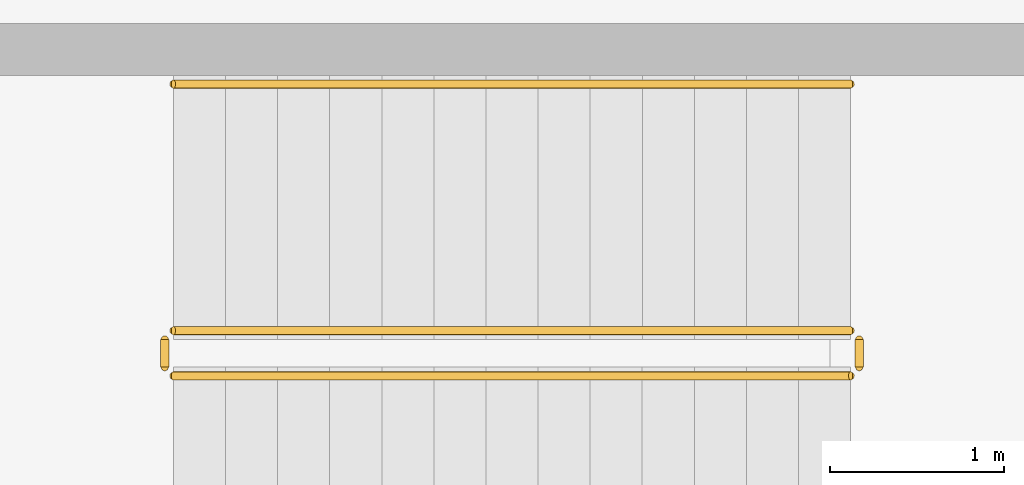
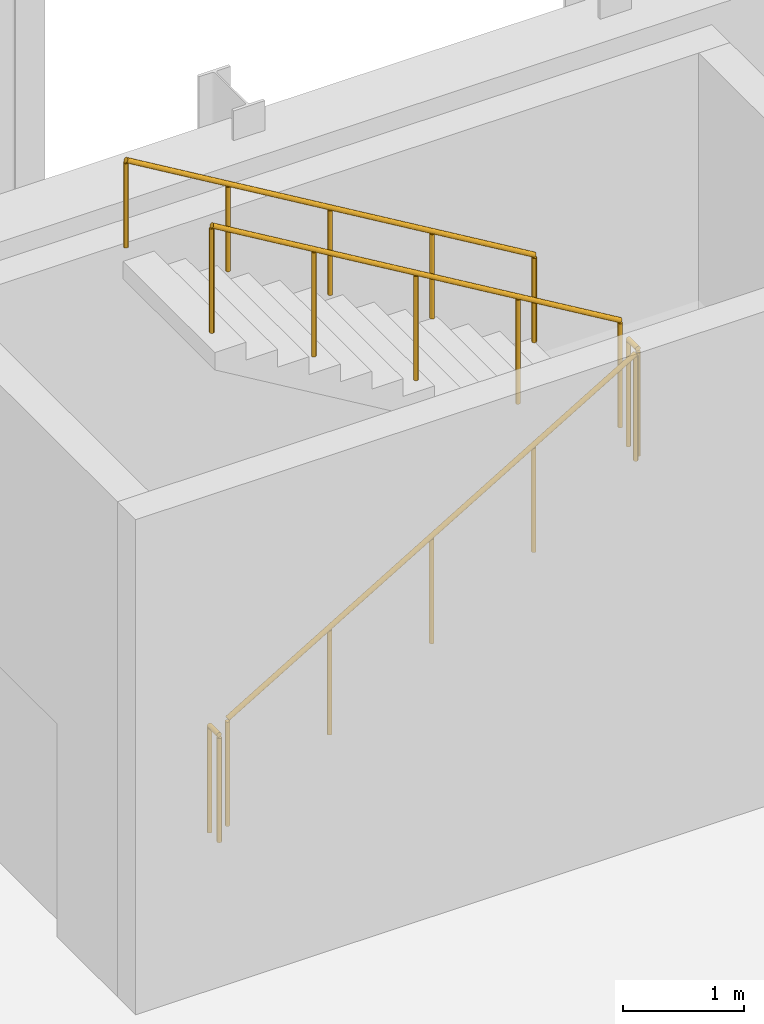
# One storey, part 40 of 47: 5 railings.
"""IFC4 building model written with IfcOpenShell, lengths in metres."""

from ifc_helpers import new_model, si_unit, direction, frame, origin, origin_2d, place, context, subcontext, project, spatial, circle, extrude, material, type_object, element, save


model = new_model("IFC4")

# Units and contexts
model_context = context("Model", 3, precision=1e-05, world=origin(), true_north=direction((0.0, 1.0)))
body_context = subcontext(model_context, "Body", "Model", "MODEL_VIEW")
ifc_project = project(units=[si_unit("LENGTHUNIT", "METRE"), si_unit("AREAUNIT", "SQUARE_METRE"), si_unit("VOLUMEUNIT", "CUBIC_METRE"), si_unit("PLANEANGLEUNIT", "RADIAN"), si_unit("MASSUNIT", "GRAM", prefix="KILO")], contexts=[model_context])

# Site, building, storey
site_placement = place(None, origin())
site = spatial("IfcSite", under=ifc_project, at=site_placement, CompositionType="ELEMENT")
building_placement = place(site_placement, origin())
building = spatial("IfcBuilding", under=site, at=building_placement, Name="Cymarion Research Institute", CompositionType="ELEMENT")
storey_placement = place(building_placement, frame((0.0, 0.0, -5.0)))
storey = spatial("IfcBuildingStorey", under=building, at=storey_placement, Name="B1", CompositionType="ELEMENT", Elevation=-5.0)

# Railings
ifc_material = material(Name="Steel S355", Category="steel")
railing_type_1 = type_object("IfcRailingType", Name="PAINTED STEEL STAIR GUARDRAIL GR1 1100MM", PredefinedType="GUARDRAIL", material=ifc_material)
railing_1_placement = place(storey_placement, frame((89.199951171875, 38.27001953125, 0.178466796875)))
element("IfcRailing", 1, at=railing_1_placement, inside=storey, type_object=railing_type_1, Name="B1 ST4 stair guard 1", PredefinedType="GUARDRAIL", context=body_context, shape_type="SweptSolid", body=[
    extrude(circle(Radius=0.02392578125, at=origin_2d()), frame((0.0, 0.0, 1.076171875), z_axis=(0.859291195736, 0.0, 0.511486696729), x_axis=(0.0, 1.0, 0.0)), (0.0, 0.0, 1.0), 4.538818359375),
    extrude(circle(Radius=0.02099609375, at=origin_2d()), origin(), (0.0, 0.0, 1.0), 1.052001953125),
    extrude(circle(Radius=0.02099609375, at=origin_2d()), frame((0.97509765625, 0.0, 0.580322265625)), (0.0, 0.0, 1.0), 1.052001953125),
    extrude(circle(Radius=0.02099609375, at=origin_2d()), frame((1.9501953125, 0.0, 1.16064453125)), (0.0, 0.0, 1.0), 1.052001953125),
    extrude(circle(Radius=0.02099609375, at=origin_2d()), frame((2.925048828125, 0.0, 1.7412109375)), (0.0, 0.0, 1.0), 1.052001953125),
    extrude(circle(Radius=0.02099609375, at=origin_2d()), frame((3.900146484375, 0.0, 2.321533203125)), (0.0, 0.0, 1.0), 1.052001953125),
])
railing_2_placement = place(storey_placement, frame((93.14990234375, 38.320068359375, 2.5)))
element("IfcRailing", 2, at=railing_2_placement, inside=storey, type_object=railing_type_1, Name="B1 ST4 stair guard 2", PredefinedType="GUARDRAIL", context=body_context, shape_type="SweptSolid", body=[
    extrude(circle(Radius=0.02392578125, at=origin_2d()), frame((0.0, 0.0, 1.076171875), z_axis=(0.0, 1.0, 0.0), x_axis=(-1.0, 0.0, 0.0)), (0.0, 0.0, 1.0), 0.159912109375),
    extrude(circle(Radius=0.02099609375, at=origin_2d()), origin(), (0.0, 0.0, 1.0), 1.052001953125),
    extrude(circle(Radius=0.02099609375, at=origin_2d()), frame((0.0, 0.159912109375, 0.0)), (0.0, 0.0, 1.0), 1.052001953125),
])
railing_3_placement = place(storey_placement, frame((93.10009765625, 38.530029296875, 2.678466796875)))
element("IfcRailing", 3, at=railing_3_placement, inside=storey, type_object=railing_type_1, Name="B1 ST4 stair guard 3", PredefinedType="GUARDRAIL", context=body_context, shape_type="SweptSolid", body=[
    extrude(circle(Radius=0.02392578125, at=origin_2d()), frame((0.0, 0.0, 1.076171875), z_axis=(-0.859291195736, 0.0, 0.511486696729), x_axis=(0.0, -1.0, 0.0)), (0.0, 0.0, 1.0), 4.538818359375),
    extrude(circle(Radius=0.02099609375, at=origin_2d()), origin(), (0.0, 0.0, 1.0), 1.052001953125),
    extrude(circle(Radius=0.02099609375, at=origin_2d()), frame((-0.97509765625, 0.0, 0.580322265625)), (0.0, 0.0, 1.0), 1.052001953125),
    extrude(circle(Radius=0.02099609375, at=origin_2d()), frame((-1.9501953125, 0.0, 1.16064453125)), (0.0, 0.0, 1.0), 1.052001953125),
    extrude(circle(Radius=0.02099609375, at=origin_2d()), frame((-2.925048828125, 0.0, 1.7412109375)), (0.0, 0.0, 1.0), 1.052001953125),
    extrude(circle(Radius=0.02099609375, at=origin_2d()), frame((-3.900146484375, 0.0, 2.321533203125)), (0.0, 0.0, 1.0), 1.052001953125),
])
railing_4_placement = place(storey_placement, frame((89.14990234375, 38.320068359375, 0.0)))
element("IfcRailing", 4, at=railing_4_placement, inside=storey, type_object=railing_type_1, Name="B1 ST4 stair guard 4", PredefinedType="GUARDRAIL", context=body_context, shape_type="SweptSolid", body=[
    extrude(circle(Radius=0.02392578125, at=origin_2d()), frame((0.0, 0.0, 1.076171875), z_axis=(0.0, 1.0, 0.0), x_axis=(-1.0, 0.0, 0.0)), (0.0, 0.0, 1.0), 0.159912109375),
    extrude(circle(Radius=0.02099609375, at=origin_2d()), origin(), (0.0, 0.0, 1.0), 1.052001953125),
    extrude(circle(Radius=0.02099609375, at=origin_2d()), frame((0.0, 0.159912109375, 0.0)), (0.0, 0.0, 1.0), 1.052001953125),
])
railing_type_2 = type_object("IfcRailingType", Name="STAINLESS STEEL STAIR HANDRAIL HR1 900MM", PredefinedType="HANDRAIL", material=ifc_material)
railing_5_placement = place(storey_placement, frame((93.10009765625, 39.949951171875, 2.678466796875)))
element("IfcRailing", 5, at=railing_5_placement, inside=storey, type_object=railing_type_2, Name="B1 ST4 stair handrail 2", PredefinedType="HANDRAIL", context=body_context, shape_type="SweptSolid", body=[
    extrude(circle(Radius=0.02392578125, at=origin_2d()), frame((0.0, 0.0, 0.8759765625), z_axis=(-0.859291195736, 0.0, 0.511486696729), x_axis=(0.0, -1.0, 0.0)), (0.0, 0.0, 1.0), 4.538818359375),
    extrude(circle(Radius=0.02099609375, at=origin_2d()), origin(), (0.0, 0.0, 1.0), 0.851806640625),
    extrude(circle(Radius=0.02099609375, at=origin_2d()), frame((-0.97509765625, 0.0, 0.580322265625)), (0.0, 0.0, 1.0), 0.851806640625),
    extrude(circle(Radius=0.02099609375, at=origin_2d()), frame((-1.9501953125, 0.0, 1.16064453125)), (0.0, 0.0, 1.0), 0.851806640625),
    extrude(circle(Radius=0.02099609375, at=origin_2d()), frame((-2.925048828125, 0.0, 1.7412109375)), (0.0, 0.0, 1.0), 0.851806640625),
    extrude(circle(Radius=0.02099609375, at=origin_2d()), frame((-3.900146484375, 0.0, 2.321533203125)), (0.0, 0.0, 1.0), 0.851806640625),
])

save(model, "model.ifc")
